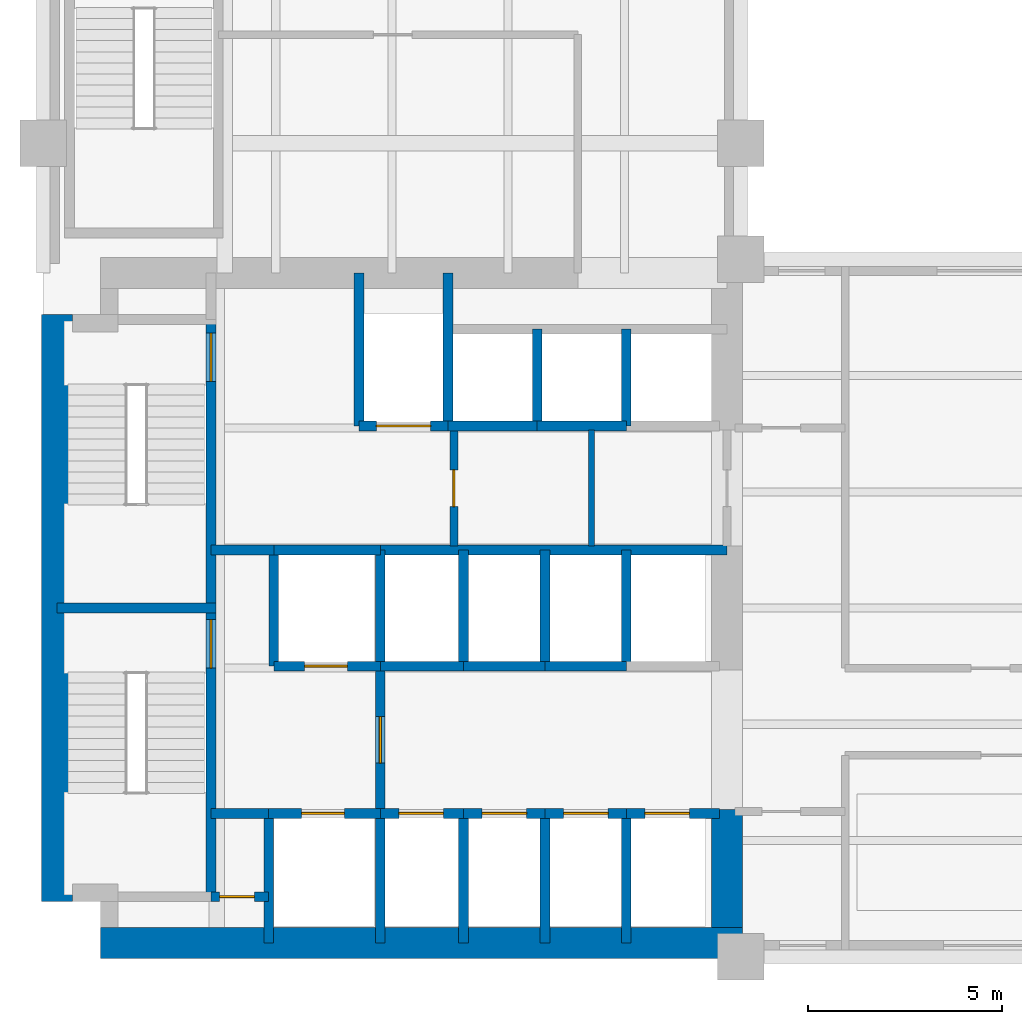
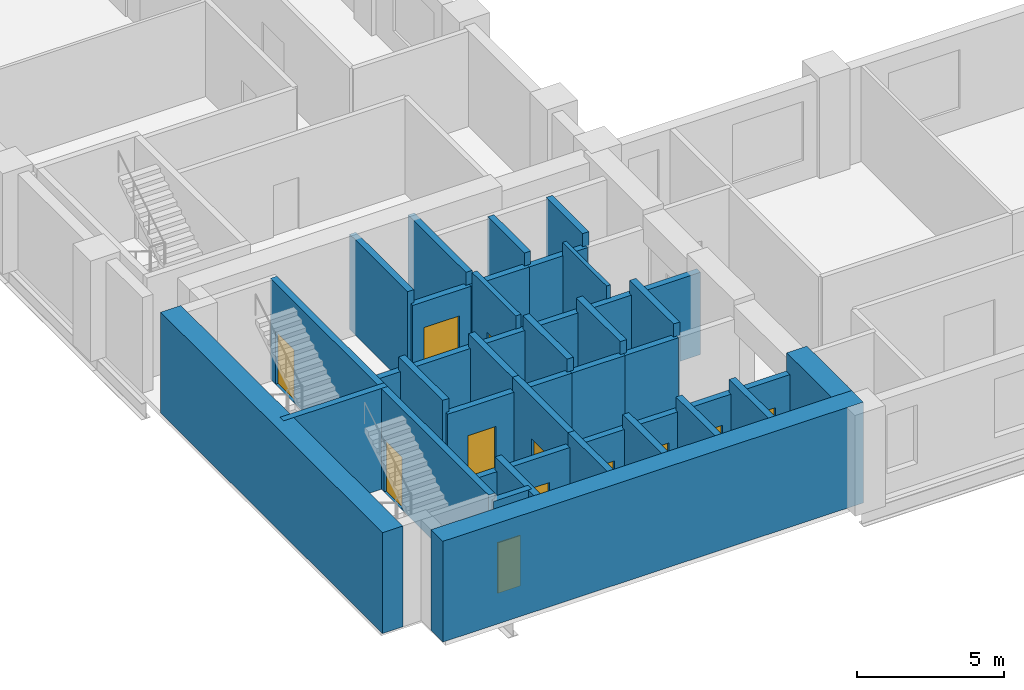
# One storey, part 3 of 7: 40 walls, 12 doors, 12 openings.
"""IFC4 building model written with IfcOpenShell, lengths in metres."""

from ifc_helpers import new_model, si_unit, direction, frame, frame_2d, origin, place, context, subcontext, project, spatial, rectangle, extrude, material, layer, layer_set, type_object, element, fill, save


model = new_model("IFC4")

# Units and contexts
model_context = context("Model", 3, precision=1e-05, world=origin(), true_north=direction((0.0, 1.0)))
body_context = subcontext(model_context, "Body", "Model", "MODEL_VIEW")
ifc_project = project(units=[si_unit("LENGTHUNIT", "METRE"), si_unit("AREAUNIT", "SQUARE_METRE"), si_unit("VOLUMEUNIT", "CUBIC_METRE"), si_unit("PLANEANGLEUNIT", "RADIAN"), si_unit("MASSUNIT", "GRAM", prefix="KILO")], contexts=[model_context])

# Site, building, storey
site_placement = place(None, origin())
site = spatial("IfcSite", under=ifc_project, at=site_placement, CompositionType="ELEMENT")
building_placement = place(site_placement, origin())
building = spatial("IfcBuilding", under=site, at=building_placement, Name="Mawjdan Bourse Tower", CompositionType="ELEMENT")
storey_placement = place(building_placement, frame((0.0, 0.0, 34.199951171875)))
storey = spatial("IfcBuildingStorey", under=building, at=storey_placement, Name="L07", CompositionType="ELEMENT", Elevation=34.199951171875)

# Wall, opening, door
ifc_material_1 = material(Name="Gypsum Fireboard Assembly")
ifc_layer_1 = layer(ifc_material_1, 0.199951171875)
ifc_layer_set_1 = layer_set([ifc_layer_1], Name="Gypsum Fireboard Assembly")
wall_type_1 = type_object("IfcWallType", Name="WL-CMP-200", PredefinedType="PARTITIONING", material=ifc_layer_set_1)
wall_1_placement = place(storey_placement, frame((16.60009765625, 13.60009765625, 0.0), z_axis=(0.0, 0.0, 1.0), x_axis=(0.0, 1.0, 0.0)))
wall_1 = element("IfcWall", 1, at=wall_1_placement, inside=storey, type_object=wall_type_1, Name="L07 Core Restroom West Wall", PredefinedType="PARTITIONING", context=body_context, shape_type="SweptSolid", body=[
    extrude(rectangle(XDim=3.0, YDim=0.199951171875, at=frame_2d((1.5, 0.0))), origin(), (0.0, 0.0, 1.0), 3.969970703125),
])
opening_1_placement = place(wall_1_placement, frame((1.02001953125, 0.0, 0.0)))
opening_1 = element("IfcOpeningElement", 2, at=opening_1_placement, cuts=wall_1, Name="Opening D-L07-14", PredefinedType="OPENING", context=body_context, shape_type="SweptSolid", body=[
    extrude(rectangle(XDim=0.949951171875, YDim=2.10009765625, at=frame_2d((0.47509765625, 1.050048828125))), frame((0.0, 0.10986328125, 0.0), z_axis=(0.0, -1.0, 0.0), x_axis=(1.0, 0.0, 0.0)), (0.0, 0.0, 1.0), 0.219970703125),
])
ifc_material_2 = material(Name="Moisture-Resistant Laminate Timber", Category="wood")
door_type_1 = type_object("IfcDoorType", Name="DR-WET-0950", OperationType="NOTDEFINED", PredefinedType="DOOR", material=ifc_material_2)
door_1_placement = place(opening_1_placement, origin())
door_1 = element("IfcDoor", 3, at=door_1_placement, inside=storey, type_object=door_type_1, Name="L07 Female Restroom Entry Door D-L07-14", OperationType="SINGLE_SWING_RIGHT", OverallHeight=2.10009765625, OverallWidth=0.949951171875, PredefinedType="DOOR", context=body_context, shape_type="SweptSolid", body=[
    extrude(rectangle(XDim=0.949951171875, YDim=2.10009765625, at=frame_2d((0.47509765625, 1.050048828125))), frame((0.0, 0.02490234375, 0.0), z_axis=(0.0, -1.0, 0.0), x_axis=(1.0, 0.0, 0.0)), (0.0, 0.0, 1.0), 0.050048828125),
])
fill(opening_1, door_1)

# Walls
ifc_material_3 = material(Name="Concrete C80/95", Category="concrete")
ifc_layer_2 = layer(ifc_material_3, 0.800048828125)
ifc_layer_set_2 = layer_set([ifc_layer_2], Name="Concrete C80/95")
wall_type_2 = type_object("IfcWallType", Name="WL-CORE-800", PredefinedType="SHEAR", material=ifc_layer_set_2)
wall_2_placement = place(storey_placement, frame((7.47509765625, 3.35009765625, 0.0), z_axis=(0.0, 0.0, 1.0), x_axis=(1.0, 0.0, 0.0)))
element("IfcWall", 4, at=wall_2_placement, inside=storey, type_object=wall_type_2, Name="L07 Rear Core Shear Wall S", PredefinedType="SHEAR", context=body_context, shape_type="SweptSolid", body=[
    extrude(rectangle(XDim=16.574951171875, YDim=0.800048828125, at=frame_2d((8.28759765625, 0.0))), origin(), (0.0, 0.0, 1.0), 4.199951171875),
])
wall_3_placement = place(storey_placement, frame((6.35009765625, 4.425048828125, 0.0), z_axis=(0.0, 0.0, 1.0), x_axis=(0.0, 1.0, 0.0)))
element("IfcWall", 5, at=wall_3_placement, inside=storey, type_object=wall_type_2, Name="L07 Rear Core Shear Wall W", PredefinedType="SHEAR", context=body_context, shape_type="SweptSolid", body=[
    extrude(rectangle(XDim=15.14990234375, YDim=0.800048828125, at=frame_2d((7.574951171875, 0.0))), origin(), (0.0, 0.0, 1.0), 4.199951171875),
])
wall_4_placement = place(storey_placement, frame((23.64990234375, 3.75, 0.0), z_axis=(0.0, 0.0, 1.0), x_axis=(0.0, 1.0, 0.0)))
element("IfcWall", 6, at=wall_4_placement, inside=storey, type_object=wall_type_2, Name="L07 Rear Core Shear Wall E1", PredefinedType="SHEAR", context=body_context, shape_type="SweptSolid", body=[
    extrude(rectangle(XDim=3.050048828125, YDim=0.800048828125, at=frame_2d((1.52490234375, 0.0))), origin(), (0.0, 0.0, 1.0), 4.199951171875),
])
ifc_material_4 = material(Name="Gypsum Acoustic Partition")
ifc_layer_3 = layer(ifc_material_4, 0.14990234375)
ifc_layer_set_3 = layer_set([ifc_layer_3], Name="Gypsum Acoustic Partition")
wall_type_3 = type_object("IfcWallType", Name="WL-PRT-150", PredefinedType="PARTITIONING", material=ifc_layer_set_3)
wall_5_placement = place(storey_placement, frame((20.14990234375, 13.60009765625, 0.0), z_axis=(0.0, 0.0, 1.0), x_axis=(0.0, 1.0, 0.0)))
element("IfcWall", 7, at=wall_5_placement, inside=storey, type_object=wall_type_3, Name="L07 Core Restroom Vertical Split", PredefinedType="PARTITIONING", context=body_context, shape_type="SweptSolid", body=[
    extrude(rectangle(XDim=3.0, YDim=0.14990234375, at=frame_2d((1.5, 0.0))), origin(), (0.0, 0.0, 1.0), 3.969970703125),
])

# Wall, opening, door
ifc_material_5 = material(Name="Concrete C50/60", Category="concrete")
ifc_layer_4 = layer(ifc_material_5, 0.25)
ifc_layer_set_4 = layer_set([ifc_layer_4], Name="Concrete C50/60")
wall_type_4 = type_object("IfcWallType", Name="WL-SHFT-250", PredefinedType="PARTITIONING", material=ifc_layer_set_4)
wall_6_placement = place(storey_placement, frame((10.330078125, 4.550048828125, 0.0), z_axis=(0.0, 0.0, 1.0), x_axis=(1.0, 0.0, 0.0)))
wall_6 = element("IfcWall", 8, at=wall_6_placement, inside=storey, type_object=wall_type_4, Name="L07 SW Riser North Wall", PredefinedType="PARTITIONING", context=body_context, shape_type="SweptSolid", body=[
    extrude(rectangle(XDim=1.489990234375, YDim=0.25, at=frame_2d((0.7451171875, 0.0))), origin(), (0.0, 0.0, 1.0), 3.969970703125),
])
opening_2_placement = place(wall_6_placement, frame((0.219970703125, 0.0, 0.0)))
opening_2 = element("IfcOpeningElement", 9, at=opening_2_placement, cuts=wall_6, Name="Opening RD-L07-03", PredefinedType="OPENING", context=body_context, shape_type="SweptSolid", body=[
    extrude(rectangle(XDim=0.89990234375, YDim=2.10009765625, at=frame_2d((0.449951171875, 1.050048828125))), frame((0.0, 0.135009765625, 0.0), z_axis=(0.0, -1.0, 0.0), x_axis=(1.0, 0.0, 0.0)), (0.0, 0.0, 1.0), 0.27001953125),
])
ifc_material_6 = material(Name="Fire-Rated Steel Access Leaf", Category="steel")
door_type_2 = type_object("IfcDoorType", Name="FD-RSR-0900", OperationType="NOTDEFINED", PredefinedType="TRAPDOOR", material=ifc_material_6)
door_2_placement = place(opening_2_placement, origin())
door_2 = element("IfcDoor", 10, at=door_2_placement, inside=storey, type_object=door_type_2, Name="L07 Electrical Riser Access Door RD-L07-03", OperationType="SINGLE_SWING_RIGHT", OverallHeight=2.10009765625, OverallWidth=0.89990234375, PredefinedType="TRAPDOOR", context=body_context, shape_type="SweptSolid", body=[
    extrude(rectangle(XDim=0.89990234375, YDim=2.10009765625, at=frame_2d((0.449951171875, 1.050048828125))), frame((0.0, 0.02490234375, 0.0), z_axis=(0.0, -1.0, 0.0), x_axis=(1.0, 0.0, 0.0)), (0.0, 0.0, 1.0), 0.050048828125),
])
fill(opening_2, door_2)

# Wall
wall_7_placement = place(storey_placement, frame((11.820068359375, 3.35009765625, 0.0), z_axis=(0.0, 0.0, 1.0), x_axis=(0.0, 1.0, 0.0)))
element("IfcWall", 11, at=wall_7_placement, inside=storey, type_object=wall_type_4, Name="L07 SW Riser & FFL01 West Wall", PredefinedType="PARTITIONING", context=body_context, shape_type="SweptSolid", body=[
    extrude(rectangle(XDim=3.349853515625, YDim=0.25, at=frame_2d((1.6748046875, 0.0))), origin(), (0.0, 0.0, 1.0), 3.969970703125),
])

# Wall, opening, door
wall_8_placement = place(storey_placement, frame((11.820068359375, 6.699951171875, 0.0), z_axis=(0.0, 0.0, 1.0), x_axis=(1.0, 0.0, 0.0)))
wall_8 = element("IfcWall", 12, at=wall_8_placement, inside=storey, type_object=wall_type_4, Name="L07 FFL-01 Front Shaft Wall", PredefinedType="PARTITIONING", context=body_context, shape_type="SweptSolid", body=[
    extrude(rectangle(XDim=2.8798828125, YDim=0.25, at=frame_2d((1.43994140625, 0.0))), origin(), (0.0, 0.0, 1.0), 3.426025390625),
])
opening_3_placement = place(wall_8_placement, frame((0.85009765625, 0.0, 0.0)))
opening_3 = element("IfcOpeningElement", 13, at=opening_3_placement, cuts=wall_8, Name="Opening LD-L07-05", PredefinedType="OPENING", context=body_context, shape_type="SweptSolid", body=[
    extrude(rectangle(XDim=1.10009765625, YDim=2.25, at=frame_2d((0.550048828125, 1.125))), frame((0.0, 0.135009765625, 0.0), z_axis=(0.0, -1.0, 0.0), x_axis=(1.0, 0.0, 0.0)), (0.0, 0.0, 1.0), 0.27001953125),
])
ifc_material_7 = material(Name="Brushed Stainless Steel", Category="steel")
door_type_3 = type_object("IfcDoorType", Name="LD-FFL-1100", OperationType="DOUBLE_DOOR_SLIDING", PredefinedType="DOOR", material=ifc_material_7)
door_3_placement = place(opening_3_placement, origin())
door_3 = element("IfcDoor", 14, at=door_3_placement, inside=storey, type_object=door_type_3, Name="L07 Firefighting Lift FFL-01 Landing Door LD-L07-05", OperationType="DOUBLE_DOOR_SLIDING", OverallHeight=2.25, OverallWidth=1.10009765625, PredefinedType="DOOR", context=body_context, shape_type="SweptSolid", body=[
    extrude(rectangle(XDim=1.10009765625, YDim=2.25, at=frame_2d((0.550048828125, 1.125))), frame((0.0, 0.02490234375, 0.0), z_axis=(0.0, -1.0, 0.0), x_axis=(1.0, 0.0, 0.0)), (0.0, 0.0, 1.0), 0.050048828125),
])
fill(opening_3, door_3)

# Wall
wall_9_placement = place(storey_placement, frame((14.699951171875, 3.35009765625, 0.0), z_axis=(0.0, 0.0, 1.0), x_axis=(0.0, 1.0, 0.0)))
element("IfcWall", 15, at=wall_9_placement, inside=storey, type_object=wall_type_4, Name="L07 FFL-01 East Shaft Wall", PredefinedType="PARTITIONING", context=body_context, shape_type="SweptSolid", body=[
    extrude(rectangle(XDim=3.349853515625, YDim=0.25, at=frame_2d((1.6748046875, 0.0))), origin(), (0.0, 0.0, 1.0), 3.969970703125),
])

# Wall, opening, door
wall_10_placement = place(storey_placement, frame((11.949951171875, 10.5, 0.0), z_axis=(0.0, 0.0, 1.0), x_axis=(1.0, 0.0, 0.0)))
wall_10 = element("IfcWall", 16, at=wall_10_placement, inside=storey, type_object=wall_type_4, Name="L07 FFL-02 Front Shaft Wall", PredefinedType="PARTITIONING", context=body_context, shape_type="SweptSolid", body=[
    extrude(rectangle(XDim=2.75, YDim=0.25, at=frame_2d((1.375, 0.0))), origin(), (0.0, 0.0, 1.0), 3.426025390625),
])
opening_4_placement = place(wall_10_placement, frame((0.800048828125, 0.0, 0.0)))
opening_4 = element("IfcOpeningElement", 17, at=opening_4_placement, cuts=wall_10, Name="Opening LD-L07-06", PredefinedType="OPENING", context=body_context, shape_type="SweptSolid", body=[
    extrude(rectangle(XDim=1.10009765625, YDim=2.25, at=frame_2d((0.550048828125, 1.125))), frame((0.0, 0.135009765625, 0.0), z_axis=(0.0, -1.0, 0.0), x_axis=(1.0, 0.0, 0.0)), (0.0, 0.0, 1.0), 0.27001953125),
])
door_4_placement = place(opening_4_placement, origin())
door_4 = element("IfcDoor", 18, at=door_4_placement, inside=storey, type_object=door_type_3, Name="L07 Firefighting Lift FFL-02 Landing Door LD-L07-06", OperationType="DOUBLE_DOOR_SLIDING", OverallHeight=2.25, OverallWidth=1.10009765625, PredefinedType="DOOR", context=body_context, shape_type="SweptSolid", body=[
    extrude(rectangle(XDim=1.10009765625, YDim=2.25, at=frame_2d((0.550048828125, 1.125))), frame((0.0, 0.02490234375, 0.0), z_axis=(0.0, -1.0, 0.0), x_axis=(1.0, 0.0, 0.0)), (0.0, 0.0, 1.0), 0.050048828125),
])
fill(opening_4, door_4)

# Walls
wall_11_placement = place(storey_placement, frame((11.949951171875, 10.5, 0.0), z_axis=(0.0, 0.0, 1.0), x_axis=(0.0, 1.0, 0.0)))
element("IfcWall", 19, at=wall_11_placement, inside=storey, type_object=wall_type_4, Name="L07 FFL-02 West Shaft Wall", PredefinedType="PARTITIONING", context=body_context, shape_type="SweptSolid", body=[
    extrude(rectangle(XDim=3.0, YDim=0.25, at=frame_2d((1.5, 0.0))), origin(), (0.0, 0.0, 1.0), 3.969970703125),
])
wall_12_placement = place(storey_placement, frame((11.949951171875, 13.5, 0.0), z_axis=(0.0, 0.0, 1.0), x_axis=(1.0, 0.0, 0.0)))
element("IfcWall", 20, at=wall_12_placement, inside=storey, type_object=wall_type_4, Name="L07 FFL-02 North Shaft Wall", PredefinedType="PARTITIONING", context=body_context, shape_type="SweptSolid", body=[
    extrude(rectangle(XDim=2.75, YDim=0.25, at=frame_2d((1.375, 0.0))), origin(), (0.0, 0.0, 1.0), 3.426025390625),
])
wall_13_placement = place(storey_placement, frame((14.699951171875, 10.5, 0.0), z_axis=(0.0, 0.0, 1.0), x_axis=(0.0, 1.0, 0.0)))
element("IfcWall", 21, at=wall_13_placement, inside=storey, type_object=wall_type_4, Name="L07 FFL-02 East Shaft Wall", PredefinedType="PARTITIONING", context=body_context, shape_type="SweptSolid", body=[
    extrude(rectangle(XDim=3.0, YDim=0.25, at=frame_2d((1.5, 0.0))), origin(), (0.0, 0.0, 1.0), 3.969970703125),
])

# Wall, opening, door
wall_14_placement = place(storey_placement, frame((14.699951171875, 6.699951171875, 0.0), z_axis=(0.0, 0.0, 1.0), x_axis=(0.0, 1.0, 0.0)))
wall_14 = element("IfcWall", 22, at=wall_14_placement, inside=storey, type_object=wall_type_4, Name="L07 Firefighting Lobby East Compartment Wall", PredefinedType="PARTITIONING", context=body_context, shape_type="SweptSolid", body=[
    extrude(rectangle(XDim=3.800048828125, YDim=0.25, at=frame_2d((1.89990234375, 0.0))), origin(), (0.0, 0.0, 1.0), 3.969970703125),
])
opening_5_placement = place(wall_14_placement, frame((1.300048828125, 0.0, 0.0)))
opening_5 = element("IfcOpeningElement", 23, at=opening_5_placement, cuts=wall_14, Name="Opening FD-L07-07", PredefinedType="OPENING", context=body_context, shape_type="SweptSolid", body=[
    extrude(rectangle(XDim=1.199951171875, YDim=2.199951171875, at=frame_2d((0.60009765625, 1.10009765625))), frame((0.0, 0.135009765625, 0.0), z_axis=(0.0, -1.0, 0.0), x_axis=(1.0, 0.0, 0.0)), (0.0, 0.0, 1.0), 0.27001953125),
])
ifc_material_8 = material(Name="Fire-Rated Steel Leaf", Category="steel")
door_type_4 = type_object("IfcDoorType", Name="FD-FFL-1200", OperationType="NOTDEFINED", PredefinedType="DOOR", material=ifc_material_8)
door_5_placement = place(opening_5_placement, origin())
door_5 = element("IfcDoor", 24, at=door_5_placement, inside=storey, type_object=door_type_4, Name="L07 Firefighting Lobby East Smoke Door FD-L07-07", OperationType="SINGLE_SWING_RIGHT", OverallHeight=2.199951171875, OverallWidth=1.199951171875, PredefinedType="DOOR", context=body_context, shape_type="SweptSolid", body=[
    extrude(rectangle(XDim=1.199951171875, YDim=2.199951171875, at=frame_2d((0.60009765625, 1.10009765625))), frame((0.0, 0.02490234375, 0.0), z_axis=(0.0, -1.0, 0.0), x_axis=(1.0, 0.0, 0.0)), (0.0, 0.0, 1.0), 0.050048828125),
])
fill(opening_5, door_5)

# Walls
wall_15_placement = place(storey_placement, frame((10.330078125, 13.5, 0.0), z_axis=(0.0, 0.0, 1.0), x_axis=(1.0, 0.0, 0.0)))
element("IfcWall", 25, at=wall_15_placement, inside=storey, type_object=wall_type_4, Name="L07 Firefighting Lobby North Compartment Wall", PredefinedType="PARTITIONING", context=body_context, shape_type="SweptSolid", body=[
    extrude(rectangle(XDim=1.619873046875, YDim=0.25, at=frame_2d((0.81005859375, 0.0))), origin(), (0.0, 0.0, 1.0), 3.426025390625),
])
wall_16_placement = place(storey_placement, frame((10.330078125, 6.699951171875, 0.0), z_axis=(0.0, 0.0, 1.0), x_axis=(1.0, 0.0, 0.0)))
element("IfcWall", 26, at=wall_16_placement, inside=storey, type_object=wall_type_4, Name="L07 Firefighting Lobby South Closure Wall", PredefinedType="PARTITIONING", context=body_context, shape_type="SweptSolid", body=[
    extrude(rectangle(XDim=1.489990234375, YDim=0.25, at=frame_2d((0.7451171875, 0.0))), origin(), (0.0, 0.0, 1.0), 3.426025390625),
])

# Wall, opening, door
wall_17_placement = place(storey_placement, frame((14.14990234375, 16.699951171875, 0.0), z_axis=(0.0, 0.0, 1.0), x_axis=(1.0, 0.0, 0.0)))
wall_17 = element("IfcWall", 27, at=wall_17_placement, inside=storey, type_object=wall_type_4, Name="L07 SVL-01 Front Shaft Wall", PredefinedType="PARTITIONING", context=body_context, shape_type="SweptSolid", body=[
    extrude(rectangle(XDim=2.300048828125, YDim=0.25, at=frame_2d((1.14990234375, 0.0))), origin(), (0.0, 0.0, 1.0), 3.426025390625),
])
opening_6_placement = place(wall_17_placement, frame((0.449951171875, 0.0, 0.0)))
opening_6 = element("IfcOpeningElement", 28, at=opening_6_placement, cuts=wall_17, Name="Opening LD-L07-09", PredefinedType="OPENING", context=body_context, shape_type="SweptSolid", body=[
    extrude(rectangle(XDim=1.39990234375, YDim=2.35009765625, at=frame_2d((0.699951171875, 1.175048828125))), frame((0.0, 0.135009765625, 0.0), z_axis=(0.0, -1.0, 0.0), x_axis=(1.0, 0.0, 0.0)), (0.0, 0.0, 1.0), 0.27001953125),
])
ifc_material_9 = material(Name="Heavy-Duty Stainless Steel", Category="steel")
door_type_5 = type_object("IfcDoorType", Name="LD-SRV-1400", OperationType="DOUBLE_DOOR_SLIDING", PredefinedType="DOOR", material=ifc_material_9)
door_6_placement = place(opening_6_placement, origin())
door_6 = element("IfcDoor", 29, at=door_6_placement, inside=storey, type_object=door_type_5, Name="L07 Service Lift SVL-01 Landing Door LD-L07-09", OperationType="DOUBLE_DOOR_SLIDING", OverallHeight=2.35009765625, OverallWidth=1.39990234375, PredefinedType="DOOR", context=body_context, shape_type="SweptSolid", body=[
    extrude(rectangle(XDim=1.39990234375, YDim=2.35009765625, at=frame_2d((0.699951171875, 1.175048828125))), frame((0.0, 0.02490234375, 0.0), z_axis=(0.0, -1.0, 0.0), x_axis=(1.0, 0.0, 0.0)), (0.0, 0.0, 1.0), 0.050048828125),
])
fill(opening_6, door_6)

# Walls
for number, where, z_axis, x_axis, name in (
    (30, (14.14990234375, 16.699951171875, 0.0), (0.0, 0.0, 1.0), (0.0, 1.0, 0.0), "L07 SVL-01 West Shaft Wall"),
    (31, (16.449951171875, 16.699951171875, 0.0), (0.0, 0.0, 1.0), (0.0, 1.0, 0.0), "L07 SVL-01 East Shaft Wall"),
):
    element("IfcWall", number, at=place(storey_placement, frame(where, z_axis=z_axis, x_axis=x_axis)), inside=storey, type_object=wall_type_4, Name=name, PredefinedType="PARTITIONING", context=body_context, shape_type="SweptSolid", body=[
        extrude(rectangle(XDim=3.949951171875, YDim=0.25, at=frame_2d((1.97509765625, 0.0))), origin(), (0.0, 0.0, 1.0), 3.969970703125),
    ])
wall_18_placement = place(storey_placement, frame((16.449951171875, 16.699951171875, 0.0), z_axis=(0.0, 0.0, 1.0), x_axis=(1.0, 0.0, 0.0)))
element("IfcWall", 32, at=wall_18_placement, inside=storey, type_object=wall_type_4, Name="L07 PH-01 Front Wall", PredefinedType="PARTITIONING", context=body_context, shape_type="SweptSolid", body=[
    extrude(rectangle(XDim=2.300048828125, YDim=0.25, at=frame_2d((1.14990234375, 0.0))), origin(), (0.0, 0.0, 1.0), 3.426025390625),
])
wall_19_placement = place(storey_placement, frame((18.75, 16.699951171875, 0.0), z_axis=(0.0, 0.0, 1.0), x_axis=(0.0, 1.0, 0.0)))
element("IfcWall", 33, at=wall_19_placement, inside=storey, type_object=wall_type_4, Name="L07 PH-01 Divider Wall", PredefinedType="PARTITIONING", context=body_context, shape_type="SweptSolid", body=[
    extrude(rectangle(XDim=2.5, YDim=0.25, at=frame_2d((1.25, 0.0))), origin(), (0.0, 0.0, 1.0), 3.969970703125),
])
wall_20_placement = place(storey_placement, frame((18.75, 16.699951171875, 0.0), z_axis=(0.0, 0.0, 1.0), x_axis=(1.0, 0.0, 0.0)))
element("IfcWall", 34, at=wall_20_placement, inside=storey, type_object=wall_type_4, Name="L07 PH-02 Front Wall", PredefinedType="PARTITIONING", context=body_context, shape_type="SweptSolid", body=[
    extrude(rectangle(XDim=2.300048828125, YDim=0.25, at=frame_2d((1.14990234375, 0.0))), origin(), (0.0, 0.0, 1.0), 3.426025390625),
])
wall_21_placement = place(storey_placement, frame((21.050048828125, 16.699951171875, 0.0), z_axis=(0.0, 0.0, 1.0), x_axis=(0.0, 1.0, 0.0)))
element("IfcWall", 35, at=wall_21_placement, inside=storey, type_object=wall_type_4, Name="L07 PH-02 Divider Wall", PredefinedType="PARTITIONING", context=body_context, shape_type="SweptSolid", body=[
    extrude(rectangle(XDim=2.5, YDim=0.25, at=frame_2d((1.25, 0.0))), origin(), (0.0, 0.0, 1.0), 3.969970703125),
])

# Wall, opening, door
wall_22_placement = place(storey_placement, frame((14.699951171875, 6.699951171875, 0.0), z_axis=(0.0, 0.0, 1.0), x_axis=(1.0, 0.0, 0.0)))
wall_22 = element("IfcWall", 36, at=wall_22_placement, inside=storey, type_object=wall_type_4, Name="L07 PL-04 Front Wall", PredefinedType="PARTITIONING", context=body_context, shape_type="SweptSolid", body=[
    extrude(rectangle(XDim=2.150146484375, YDim=0.25, at=frame_2d((1.0751953125, 0.0))), origin(), (0.0, 0.0, 1.0), 3.426025390625),
])
opening_7_placement = place(wall_22_placement, frame((0.47998046875, 0.0, 0.0)))
opening_7 = element("IfcOpeningElement", 37, at=opening_7_placement, cuts=wall_22, Name="Opening LD-L07-10", PredefinedType="OPENING", context=body_context, shape_type="SweptSolid", body=[
    extrude(rectangle(XDim=1.14990234375, YDim=2.25, at=frame_2d((0.574951171875, 1.125))), frame((0.0, 0.135009765625, 0.0), z_axis=(0.0, -1.0, 0.0), x_axis=(1.0, 0.0, 0.0)), (0.0, 0.0, 1.0), 0.27001953125),
])
door_type_6 = type_object("IfcDoorType", Name="LD-PAS-1150", OperationType="DOUBLE_DOOR_SLIDING", PredefinedType="DOOR", material=ifc_material_7)
door_7_placement = place(opening_7_placement, origin())
door_7 = element("IfcDoor", 38, at=door_7_placement, inside=storey, type_object=door_type_6, Name="L07 Lift PL-04 Landing Door LD-L07-10", OperationType="DOUBLE_DOOR_SLIDING", OverallHeight=2.25, OverallWidth=1.14990234375, PredefinedType="DOOR", context=body_context, shape_type="SweptSolid", body=[
    extrude(rectangle(XDim=1.14990234375, YDim=2.25, at=frame_2d((0.574951171875, 1.125))), frame((0.0, 0.02490234375, 0.0), z_axis=(0.0, -1.0, 0.0), x_axis=(1.0, 0.0, 0.0)), (0.0, 0.0, 1.0), 0.050048828125),
])
fill(opening_7, door_7)

# Wall
wall_23_placement = place(storey_placement, frame((16.85009765625, 3.35009765625, 0.0), z_axis=(0.0, 0.0, 1.0), x_axis=(0.0, 1.0, 0.0)))
element("IfcWall", 39, at=wall_23_placement, inside=storey, type_object=wall_type_4, Name="L07 PL-04 Divider Wall", PredefinedType="PARTITIONING", context=body_context, shape_type="SweptSolid", body=[
    extrude(rectangle(XDim=3.349853515625, YDim=0.25, at=frame_2d((1.6748046875, 0.0))), origin(), (0.0, 0.0, 1.0), 3.969970703125),
])

# Wall, opening, door
wall_24_placement = place(storey_placement, frame((16.85009765625, 6.699951171875, 0.0), z_axis=(0.0, 0.0, 1.0), x_axis=(1.0, 0.0, 0.0)))
wall_24 = element("IfcWall", 40, at=wall_24_placement, inside=storey, type_object=wall_type_4, Name="L07 PL-01 Front Wall", PredefinedType="PARTITIONING", context=body_context, shape_type="SweptSolid", body=[
    extrude(rectangle(XDim=2.099853515625, YDim=0.25, at=frame_2d((1.0498046875, 0.0))), origin(), (0.0, 0.0, 1.0), 3.426025390625),
])
opening_8_placement = place(wall_24_placement, frame((0.47998046875, 0.0, 0.0)))
opening_8 = element("IfcOpeningElement", 41, at=opening_8_placement, cuts=wall_24, Name="Opening LD-L07-11", PredefinedType="OPENING", context=body_context, shape_type="SweptSolid", body=[
    extrude(rectangle(XDim=1.14990234375, YDim=2.25, at=frame_2d((0.574951171875, 1.125))), frame((0.0, 0.135009765625, 0.0), z_axis=(0.0, -1.0, 0.0), x_axis=(1.0, 0.0, 0.0)), (0.0, 0.0, 1.0), 0.27001953125),
])
door_8_placement = place(opening_8_placement, origin())
door_8 = element("IfcDoor", 42, at=door_8_placement, inside=storey, type_object=door_type_6, Name="L07 Lift PL-01 Landing Door LD-L07-11", OperationType="DOUBLE_DOOR_SLIDING", OverallHeight=2.25, OverallWidth=1.14990234375, PredefinedType="DOOR", context=body_context, shape_type="SweptSolid", body=[
    extrude(rectangle(XDim=1.14990234375, YDim=2.25, at=frame_2d((0.574951171875, 1.125))), frame((0.0, 0.02490234375, 0.0), z_axis=(0.0, -1.0, 0.0), x_axis=(1.0, 0.0, 0.0)), (0.0, 0.0, 1.0), 0.050048828125),
])
fill(opening_8, door_8)

# Wall
wall_25_placement = place(storey_placement, frame((18.949951171875, 3.35009765625, 0.0), z_axis=(0.0, 0.0, 1.0), x_axis=(0.0, 1.0, 0.0)))
element("IfcWall", 43, at=wall_25_placement, inside=storey, type_object=wall_type_4, Name="L07 PL-01 Divider Wall", PredefinedType="PARTITIONING", context=body_context, shape_type="SweptSolid", body=[
    extrude(rectangle(XDim=3.349853515625, YDim=0.25, at=frame_2d((1.6748046875, 0.0))), origin(), (0.0, 0.0, 1.0), 3.969970703125),
])

# Wall, opening, door
wall_26_placement = place(storey_placement, frame((18.949951171875, 6.699951171875, 0.0), z_axis=(0.0, 0.0, 1.0), x_axis=(1.0, 0.0, 0.0)))
wall_26 = element("IfcWall", 44, at=wall_26_placement, inside=storey, type_object=wall_type_4, Name="L07 PL-02 Front Wall", PredefinedType="PARTITIONING", context=body_context, shape_type="SweptSolid", body=[
    extrude(rectangle(XDim=2.10009765625, YDim=0.25, at=frame_2d((1.050048828125, 0.0))), origin(), (0.0, 0.0, 1.0), 3.426025390625),
])
opening_9_placement = place(wall_26_placement, frame((0.47998046875, 0.0, 0.0)))
opening_9 = element("IfcOpeningElement", 45, at=opening_9_placement, cuts=wall_26, Name="Opening LD-L07-12", PredefinedType="OPENING", context=body_context, shape_type="SweptSolid", body=[
    extrude(rectangle(XDim=1.14990234375, YDim=2.25, at=frame_2d((0.574951171875, 1.125))), frame((0.0, 0.135009765625, 0.0), z_axis=(0.0, -1.0, 0.0), x_axis=(1.0, 0.0, 0.0)), (0.0, 0.0, 1.0), 0.27001953125),
])
door_9_placement = place(opening_9_placement, origin())
door_9 = element("IfcDoor", 46, at=door_9_placement, inside=storey, type_object=door_type_6, Name="L07 Lift PL-02 Landing Door LD-L07-12", OperationType="DOUBLE_DOOR_SLIDING", OverallHeight=2.25, OverallWidth=1.14990234375, PredefinedType="DOOR", context=body_context, shape_type="SweptSolid", body=[
    extrude(rectangle(XDim=1.14990234375, YDim=2.25, at=frame_2d((0.574951171875, 1.125))), frame((0.0, 0.02490234375, 0.0), z_axis=(0.0, -1.0, 0.0), x_axis=(1.0, 0.0, 0.0)), (0.0, 0.0, 1.0), 0.050048828125),
])
fill(opening_9, door_9)

# Wall
wall_27_placement = place(storey_placement, frame((21.050048828125, 3.35009765625, 0.0), z_axis=(0.0, 0.0, 1.0), x_axis=(0.0, 1.0, 0.0)))
element("IfcWall", 47, at=wall_27_placement, inside=storey, type_object=wall_type_4, Name="L07 PL-02 Divider Wall", PredefinedType="PARTITIONING", context=body_context, shape_type="SweptSolid", body=[
    extrude(rectangle(XDim=3.349853515625, YDim=0.25, at=frame_2d((1.6748046875, 0.0))), origin(), (0.0, 0.0, 1.0), 3.969970703125),
])

# Wall, opening, door
wall_28_placement = place(storey_placement, frame((21.050048828125, 6.699951171875, 0.0), z_axis=(0.0, 0.0, 1.0), x_axis=(1.0, 0.0, 0.0)))
wall_28 = element("IfcWall", 48, at=wall_28_placement, inside=storey, type_object=wall_type_4, Name="L07 PL-03 Front Wall", PredefinedType="PARTITIONING", context=body_context, shape_type="SweptSolid", body=[
    extrude(rectangle(XDim=2.39990234375, YDim=0.25, at=frame_2d((1.199951171875, 0.0))), origin(), (0.0, 0.0, 1.0), 3.426025390625),
])
opening_10_placement = place(wall_28_placement, frame((0.47998046875, 0.0, 0.0)))
opening_10 = element("IfcOpeningElement", 49, at=opening_10_placement, cuts=wall_28, Name="Opening LD-L07-13", PredefinedType="OPENING", context=body_context, shape_type="SweptSolid", body=[
    extrude(rectangle(XDim=1.14990234375, YDim=2.25, at=frame_2d((0.574951171875, 1.125))), frame((0.0, 0.135009765625, 0.0), z_axis=(0.0, -1.0, 0.0), x_axis=(1.0, 0.0, 0.0)), (0.0, 0.0, 1.0), 0.27001953125),
])
door_10_placement = place(opening_10_placement, origin())
door_10 = element("IfcDoor", 50, at=door_10_placement, inside=storey, type_object=door_type_6, Name="L07 Lift PL-03 Landing Door LD-L07-13", OperationType="DOUBLE_DOOR_SLIDING", OverallHeight=2.25, OverallWidth=1.14990234375, PredefinedType="DOOR", context=body_context, shape_type="SweptSolid", body=[
    extrude(rectangle(XDim=1.14990234375, YDim=2.25, at=frame_2d((0.574951171875, 1.125))), frame((0.0, 0.02490234375, 0.0), z_axis=(0.0, -1.0, 0.0), x_axis=(1.0, 0.0, 0.0)), (0.0, 0.0, 1.0), 0.050048828125),
])
fill(opening_10, door_10)

# Walls
wall_29_placement = place(storey_placement, frame((14.699951171875, 10.5, 0.0), z_axis=(0.0, 0.0, 1.0), x_axis=(1.0, 0.0, 0.0)))
element("IfcWall", 51, at=wall_29_placement, inside=storey, type_object=wall_type_4, Name="L07 PM-01 Front Wall", PredefinedType="PARTITIONING", context=body_context, shape_type="SweptSolid", body=[
    extrude(rectangle(XDim=2.150146484375, YDim=0.25, at=frame_2d((1.0751953125, 0.0))), origin(), (0.0, 0.0, 1.0), 3.426025390625),
])
wall_30_placement = place(storey_placement, frame((16.85009765625, 10.5, 0.0), z_axis=(0.0, 0.0, 1.0), x_axis=(0.0, 1.0, 0.0)))
element("IfcWall", 52, at=wall_30_placement, inside=storey, type_object=wall_type_4, Name="L07 PM-01 Divider Wall", PredefinedType="PARTITIONING", context=body_context, shape_type="SweptSolid", body=[
    extrude(rectangle(XDim=3.0, YDim=0.25, at=frame_2d((1.5, 0.0))), origin(), (0.0, 0.0, 1.0), 3.969970703125),
])
wall_31_placement = place(storey_placement, frame((16.85009765625, 10.5, 0.0), z_axis=(0.0, 0.0, 1.0), x_axis=(1.0, 0.0, 0.0)))
element("IfcWall", 53, at=wall_31_placement, inside=storey, type_object=wall_type_4, Name="L07 PM-02 Front Wall", PredefinedType="PARTITIONING", context=body_context, shape_type="SweptSolid", body=[
    extrude(rectangle(XDim=2.099853515625, YDim=0.25, at=frame_2d((1.0498046875, 0.0))), origin(), (0.0, 0.0, 1.0), 3.426025390625),
])
wall_32_placement = place(storey_placement, frame((18.949951171875, 10.5, 0.0), z_axis=(0.0, 0.0, 1.0), x_axis=(0.0, 1.0, 0.0)))
element("IfcWall", 54, at=wall_32_placement, inside=storey, type_object=wall_type_4, Name="L07 PM-02 Divider Wall", PredefinedType="PARTITIONING", context=body_context, shape_type="SweptSolid", body=[
    extrude(rectangle(XDim=3.0, YDim=0.25, at=frame_2d((1.5, 0.0))), origin(), (0.0, 0.0, 1.0), 3.969970703125),
])
wall_33_placement = place(storey_placement, frame((18.949951171875, 10.5, 0.0), z_axis=(0.0, 0.0, 1.0), x_axis=(1.0, 0.0, 0.0)))
element("IfcWall", 55, at=wall_33_placement, inside=storey, type_object=wall_type_4, Name="L07 PM-03 Front Wall", PredefinedType="PARTITIONING", context=body_context, shape_type="SweptSolid", body=[
    extrude(rectangle(XDim=2.10009765625, YDim=0.25, at=frame_2d((1.050048828125, 0.0))), origin(), (0.0, 0.0, 1.0), 3.426025390625),
])
wall_34_placement = place(storey_placement, frame((21.050048828125, 10.5, 0.0), z_axis=(0.0, 0.0, 1.0), x_axis=(0.0, 1.0, 0.0)))
element("IfcWall", 56, at=wall_34_placement, inside=storey, type_object=wall_type_4, Name="L07 PM-03 Divider Wall", PredefinedType="PARTITIONING", context=body_context, shape_type="SweptSolid", body=[
    extrude(rectangle(XDim=3.0, YDim=0.25, at=frame_2d((1.5, 0.0))), origin(), (0.0, 0.0, 1.0), 3.969970703125),
])
wall_35_placement = place(storey_placement, frame((14.699951171875, 13.5, 0.0), z_axis=(0.0, 0.0, 1.0), x_axis=(1.0, 0.0, 0.0)))
element("IfcWall", 57, at=wall_35_placement, inside=storey, type_object=wall_type_4, Name="L07 PM Bank North Shaft Back Wall", PredefinedType="PARTITIONING", context=body_context, shape_type="SweptSolid", body=[
    extrude(rectangle(XDim=8.949951171875, YDim=0.25, at=frame_2d((4.47509765625, 0.0))), origin(), (0.0, 0.0, 1.0), 3.426025390625),
])
ifc_layer_5 = layer(ifc_material_5, 0.25)
ifc_layer_set_5 = layer_set([ifc_layer_5], Name="Concrete C50/60")
wall_type_5 = type_object("IfcWallType", Name="WL-STRW-250", PredefinedType="SHEAR", material=ifc_layer_set_5)
wall_36_placement = place(storey_placement, frame((6.35009765625, 12.0, 0.0), z_axis=(0.0, 0.0, 1.0), x_axis=(1.0, 0.0, 0.0)))
element("IfcWall", 58, at=wall_36_placement, inside=storey, type_object=wall_type_5, Name="L07 Stairwell Dividing Shaft Wall", PredefinedType="SHEAR", context=body_context, shape_type="SweptSolid", body=[
    extrude(rectangle(XDim=4.10498046875, YDim=0.25, at=frame_2d((2.052490234375, 0.0))), origin(), (0.0, 0.0, 1.0), 4.199951171875),
])

# Wall, opening, door
wall_37_placement = place(storey_placement, frame((10.330078125, 4.550048828125, 0.0), z_axis=(0.0, 0.0, 1.0), x_axis=(0.0, 1.0, 0.0)))
wall_37 = element("IfcWall", 59, at=wall_37_placement, inside=storey, type_object=wall_type_5, Name="L07 Stairwell ST1 East Enclosure Wall", PredefinedType="SHEAR", context=body_context, shape_type="SweptSolid", body=[
    extrude(rectangle(XDim=7.449951171875, YDim=0.25, at=frame_2d((3.72509765625, 0.0))), origin(), (0.0, 0.0, 1.0), 4.199951171875),
])
opening_11_placement = place(wall_37_placement, frame((5.89990234375, 0.0, 0.0)))
opening_11 = element("IfcOpeningElement", 60, at=opening_11_placement, cuts=wall_37, Name="Opening SD-L07-01", PredefinedType="OPENING", context=body_context, shape_type="SweptSolid", body=[
    extrude(rectangle(XDim=1.25, YDim=2.199951171875, at=frame_2d((0.625, 1.10009765625))), frame((0.0, 0.135009765625, 0.0), z_axis=(0.0, -1.0, 0.0), x_axis=(1.0, 0.0, 0.0)), (0.0, 0.0, 1.0), 0.27001953125),
])
door_type_7 = type_object("IfcDoorType", Name="FD-ST-1250", OperationType="NOTDEFINED", PredefinedType="DOOR", material=ifc_material_8)
door_11_placement = place(opening_11_placement, origin())
door_11 = element("IfcDoor", 61, at=door_11_placement, inside=storey, type_object=door_type_7, Name="L07 Exit Stair ST1 Fire Door SD-L07-01", OperationType="SINGLE_SWING_RIGHT", OverallHeight=2.199951171875, OverallWidth=1.25, PredefinedType="DOOR", context=body_context, shape_type="SweptSolid", body=[
    extrude(rectangle(XDim=1.25, YDim=2.199951171875, at=frame_2d((0.625, 1.10009765625))), frame((0.0, 0.02490234375, 0.0), z_axis=(0.0, -1.0, 0.0), x_axis=(1.0, 0.0, 0.0)), (0.0, 0.0, 1.0), 0.050048828125),
])
fill(opening_11, door_11)

wall_38_placement = place(storey_placement, frame((10.330078125, 12.0, 0.0), z_axis=(0.0, 0.0, 1.0), x_axis=(0.0, 1.0, 0.0)))
wall_38 = element("IfcWall", 62, at=wall_38_placement, inside=storey, type_object=wall_type_5, Name="L07 Stairwell ST2 East Enclosure Wall", PredefinedType="SHEAR", context=body_context, shape_type="SweptSolid", body=[
    extrude(rectangle(XDim=7.449951171875, YDim=0.25, at=frame_2d((3.72509765625, 0.0))), origin(), (0.0, 0.0, 1.0), 4.199951171875),
])
opening_12_placement = place(wall_38_placement, frame((5.85009765625, 0.0, 0.0)))
opening_12 = element("IfcOpeningElement", 63, at=opening_12_placement, cuts=wall_38, Name="Opening SD-L07-02", PredefinedType="OPENING", context=body_context, shape_type="SweptSolid", body=[
    extrude(rectangle(XDim=1.25, YDim=2.199951171875, at=frame_2d((0.625, 1.10009765625))), frame((0.0, 0.135009765625, 0.0), z_axis=(0.0, -1.0, 0.0), x_axis=(1.0, 0.0, 0.0)), (0.0, 0.0, 1.0), 0.27001953125),
])
door_12_placement = place(opening_12_placement, origin())
door_12 = element("IfcDoor", 64, at=door_12_placement, inside=storey, type_object=door_type_7, Name="L07 Exit Stair ST2 Fire Door SD-L07-02", OperationType="SINGLE_SWING_LEFT", OverallHeight=2.199951171875, OverallWidth=1.25, PredefinedType="DOOR", context=body_context, shape_type="SweptSolid", body=[
    extrude(rectangle(XDim=1.25, YDim=2.199951171875, at=frame_2d((0.625, 1.10009765625))), frame((0.0, 0.02490234375, 0.0), z_axis=(0.0, -1.0, 0.0), x_axis=(1.0, 0.0, 0.0)), (0.0, 0.0, 1.0), 0.050048828125),
])
fill(opening_12, door_12)

save(model, "model.ifc")
